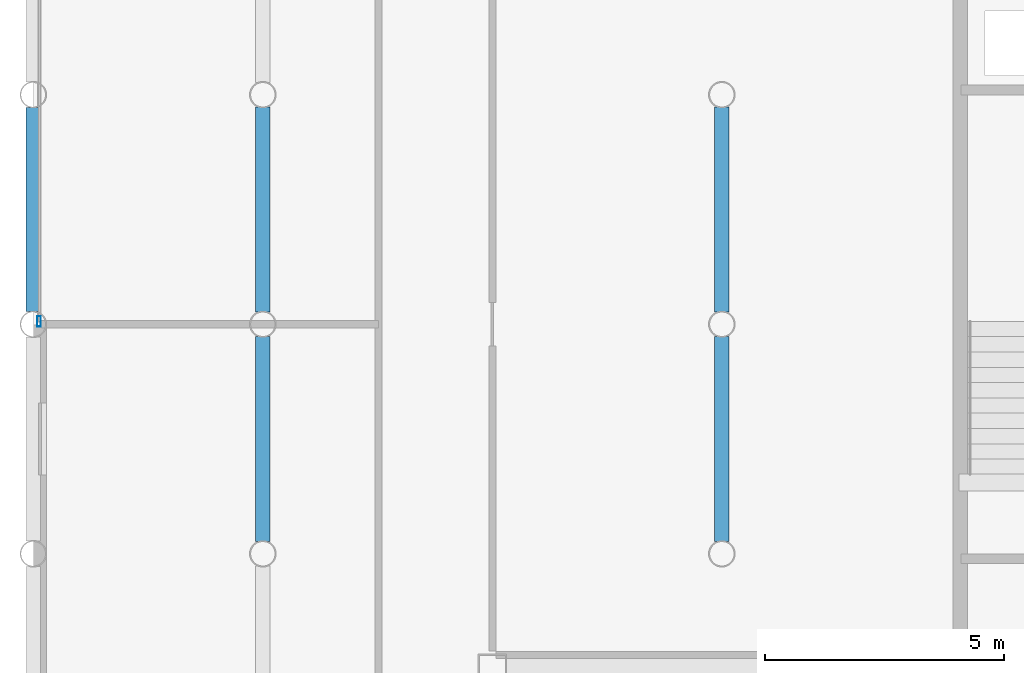
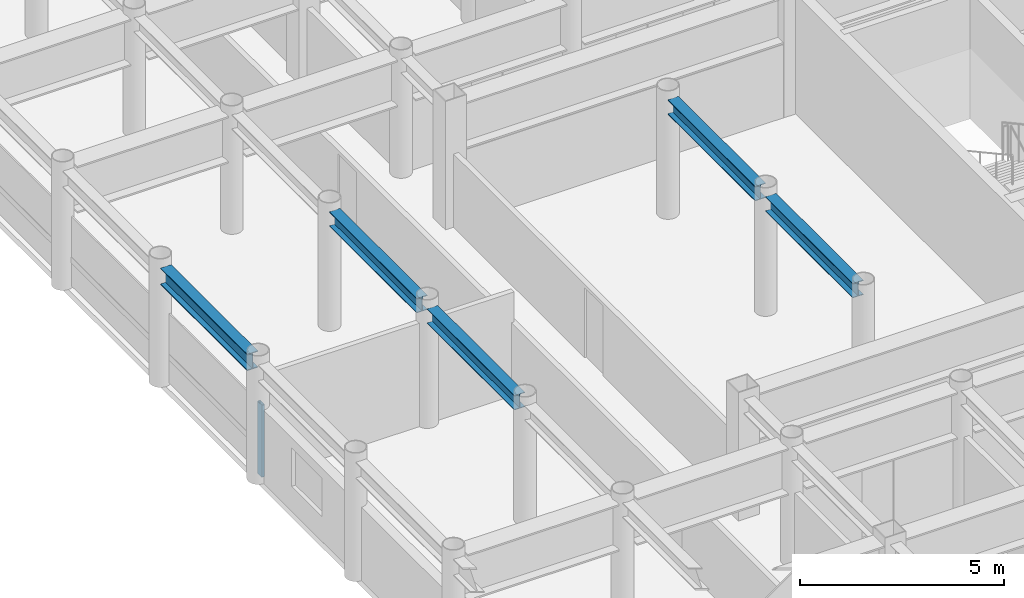
# One storey, part 6 of 21: 5 beams, 1 member, 1 element without a shape of its own.
"""IFC4 building model written with IfcOpenShell, lengths in metres."""

from ifc_helpers import new_model, si_unit, direction, frame, origin, origin_2d, place, context, subcontext, project, spatial, hollow_rectangle, i_section, extrude, material, layer, layer_set, material_profile, profile_set, type_object, element, aggregate, save


model = new_model("IFC4")

# Units and contexts
model_context = context("Model", 3, precision=1e-05, world=origin(), true_north=direction((0.0, 1.0)))
body_context = subcontext(model_context, "Body", "Model", "MODEL_VIEW")
ifc_project = project(units=[si_unit("LENGTHUNIT", "METRE"), si_unit("AREAUNIT", "SQUARE_METRE"), si_unit("VOLUMEUNIT", "CUBIC_METRE"), si_unit("PLANEANGLEUNIT", "RADIAN"), si_unit("MASSUNIT", "GRAM", prefix="KILO")], contexts=[model_context])

# Site, building, storey
site_placement = place(None, origin())
site = spatial("IfcSite", under=ifc_project, at=site_placement, CompositionType="ELEMENT")
building_placement = place(site_placement, origin())
building = spatial("IfcBuilding", under=site, at=building_placement, Name="Kallvorn Hotel Tower", CompositionType="ELEMENT")
storey_placement = place(building_placement, frame((0.0, 0.0, 272.35009765625)))
storey = spatial("IfcBuildingStorey", under=building, at=storey_placement, Name="L68", CompositionType="ELEMENT", Elevation=272.35009765625)

# Beams
ifc_material_1 = material(Name="Structural steel S355JR", Category="steel")
ifc_material_profile_1 = material_profile(ifc_material_1, i_section(OverallWidth=0.300048828125, OverallDepth=0.43994140625, WebThickness=0.011474609375, FlangeThickness=0.02099609375, at=origin_2d()), Name="HE 450 A")
ifc_profile_set_1 = profile_set([ifc_material_profile_1], Name="Structural steel S355JR")
beam_type_1 = type_object("IfcBeamType", Name="BM_HE450A", PredefinedType="BEAM", material=ifc_profile_set_1)
for number, where, z_axis, x_axis, name in (
    (1, (-28.800048828125, -4.54541015625, 3.3798828125), (0.0, 1.0, 0.0), (-1.0, 0.0, 0.0), "L69 Primary Y-Girder 76"),
    (2, (-28.800048828125, 0.25439453125, 3.3798828125), (0.0, 1.0, 0.0), (-1.0, 0.0, 0.0), "L69 Primary Y-Girder 77"),
    (3, (-19.199951171875, -4.54541015625, 3.3798828125), (0.0, 1.0, 0.0), (-1.0, 0.0, 0.0), "L69 Primary Y-Girder 92"),
    (4, (-19.199951171875, 0.25439453125, 3.3798828125), (0.0, 1.0, 0.0), (-1.0, 0.0, 0.0), "L69 Primary Y-Girder 93"),
):
    element("IfcBeam", number, at=place(storey_placement, frame(where, z_axis=z_axis, x_axis=x_axis)), inside=storey, type_object=beam_type_1, Name=name, PredefinedType="BEAM", context=body_context, shape_type="SweptSolid", body=[
        extrude(i_section(OverallWidth=0.300048828125, OverallDepth=0.43994140625, WebThickness=0.011474609375, FlangeThickness=0.02099609375, at=origin_2d()), origin(), (0.0, 0.0, 1.0), 4.291015625),
    ])
ifc_material_2 = material(Name="Structural steel S355JR", Category="steel")
ifc_material_profile_2 = material_profile(ifc_material_2, i_section(OverallWidth=0.300048828125, OverallDepth=0.5, WebThickness=0.014404296875, FlangeThickness=0.028076171875, at=origin_2d()), Name="HE 500 B")
ifc_profile_set_2 = profile_set([ifc_material_profile_2], Name="Structural steel S355JR")
beam_type_2 = type_object("IfcBeamType", Name="BM_HE500B", PredefinedType="SPANDREL", material=ifc_profile_set_2)
beam_placement = place(storey_placement, frame((-33.60009765625, 0.26953125, 3.349853515625), z_axis=(0.0, 1.0, 0.0), x_axis=(-1.0, 0.0, 0.0)))
element("IfcBeam", 5, at=beam_placement, inside=storey, type_object=beam_type_2, Name="L69 Perimeter Spandrel 177", PredefinedType="SPANDREL", context=body_context, shape_type="SweptSolid", body=[
    extrude(i_section(OverallWidth=0.300048828125, OverallDepth=0.5, WebThickness=0.014404296875, FlangeThickness=0.028076171875, at=origin_2d()), origin(), (0.0, 0.0, 1.0), 4.260986328125),
])

# Curtain wall, member
ifc_material_3 = material(Name="Thermally broken black-anodised aluminium AA 6063-T6", Category="aluminium")
ifc_layer = layer(ifc_material_3, 0.22998046875)
ifc_layer_set = layer_set([ifc_layer], Name="CW_SYS_5_HOTEL_HIGH")
curtain_wall_type = type_object("IfcCurtainWallType", Name="CW_SYS_5_HOTEL_HIGH", PredefinedType="USERDEFINED", material=ifc_layer_set)
curtain_wall_placement = place(storey_placement, origin())
curtain_wall = element("IfcCurtainWall", 6, at=curtain_wall_placement, inside=storey, type_object=curtain_wall_type, Name="L68 Dark-Glass Curtain Wall CW-L68-WN", ObjectType="UNITISED CURTAIN WALL", PredefinedType="USERDEFINED")
ifc_material_4 = material(Name="Thermally broken black-anodised aluminium AA 6063-T6", Category="aluminium")
ifc_material_profile_3 = material_profile(ifc_material_4, hollow_rectangle(XDim=0.080078125, YDim=0.219970703125, WallThickness=0.0048828125, at=origin_2d()), Name="MUL 220x80")
ifc_profile_set_3 = profile_set([ifc_material_profile_3], Name="Thermally broken black-anodised aluminium AA 6063-T6")
member_type = type_object("IfcMemberType", Name="CW_MULLION_220x80", PredefinedType="MULLION", material=ifc_profile_set_3)
member_placement = place(storey_placement, frame((-33.47998046875, 0.06005859375, 0.02001953125), z_axis=(0.0, 0.0, 1.0), x_axis=(1.0, 0.0, 0.0)))
member = element("IfcMember", 7, at=member_placement, type_object=member_type, Name="CW-L68-WN Mullion 00", PredefinedType="MULLION", context=body_context, shape_type="SweptSolid", body=[
    extrude(hollow_rectangle(XDim=0.080078125, YDim=0.219970703125, WallThickness=0.0048828125, at=origin_2d()), origin(), (0.0, 0.0, 1.0), 2.159912109375),
])
aggregate(curtain_wall, [member])

save(model, "model.ifc")
